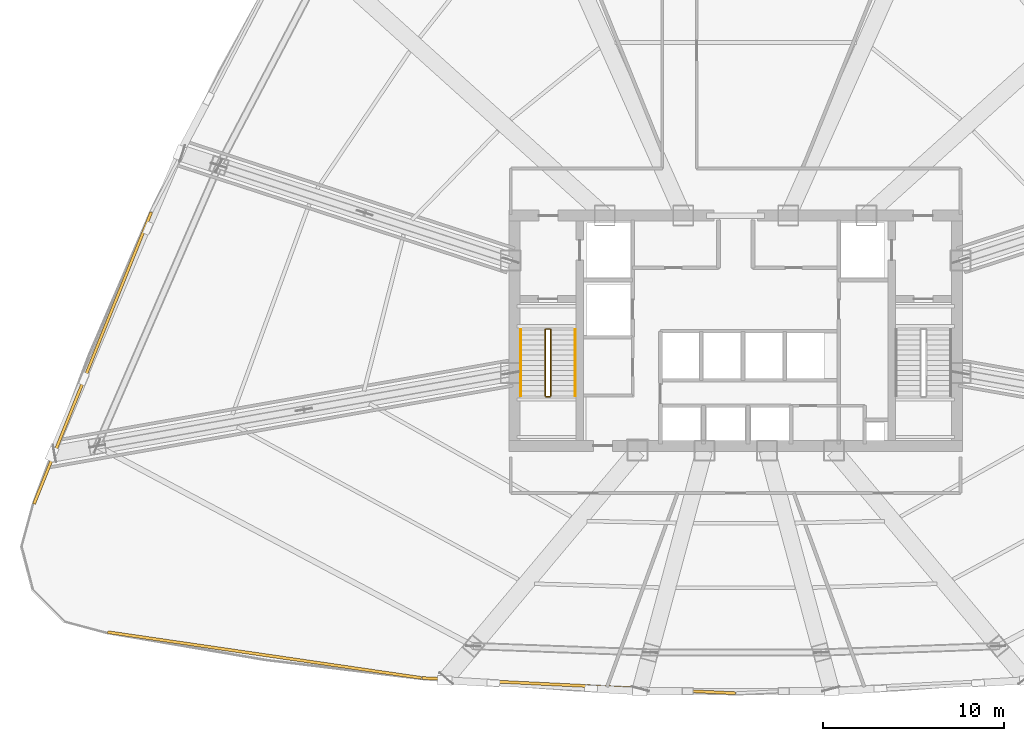
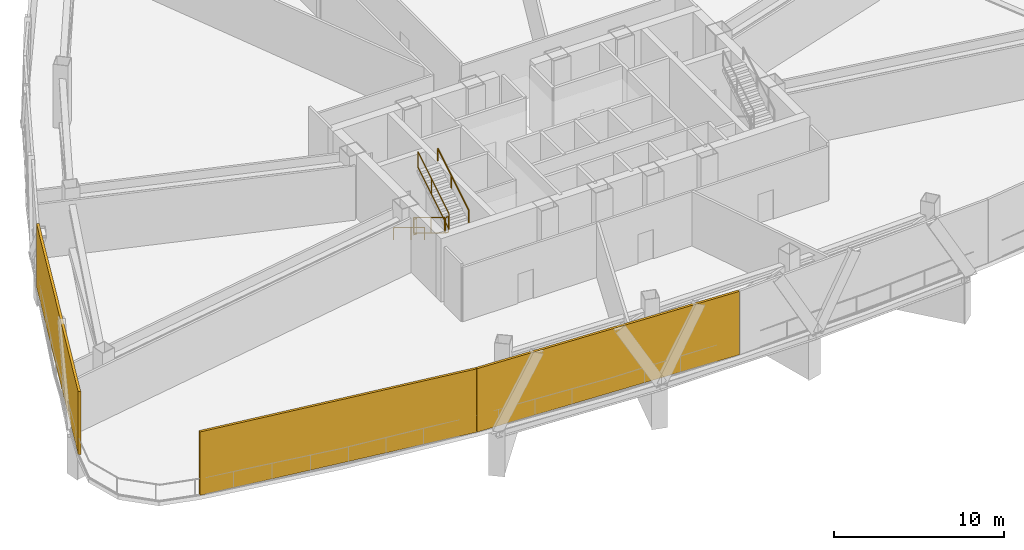
# One storey, part 12 of 17: 6 railings, 3 shading devices.
"""IFC4 building model written with IfcOpenShell, lengths in metres."""

from ifc_helpers import new_model, si_unit, direction, frame, origin, origin_2d, place, context, subcontext, project, spatial, rectangle, extrude, source, transform, mapped, material, layer, layer_set, type_object, element, save


model = new_model("IFC4")

# Units and contexts
model_context = context("Model", 3, precision=1e-05, world=origin(), true_north=direction((0.0, 1.0)))
body_context = subcontext(model_context, "Body", "Model", "MODEL_VIEW")
ifc_project = project(units=[si_unit("LENGTHUNIT", "METRE"), si_unit("AREAUNIT", "SQUARE_METRE"), si_unit("VOLUMEUNIT", "CUBIC_METRE"), si_unit("PLANEANGLEUNIT", "RADIAN"), si_unit("MASSUNIT", "GRAM", prefix="KILO"), si_unit("THERMODYNAMICTEMPERATUREUNIT", "KELVIN"), si_unit("POWERUNIT", "WATT")], contexts=[model_context])

# Site, building, storey
site_placement = place(None, origin())
site = spatial("IfcSite", under=ifc_project, at=site_placement, CompositionType="ELEMENT")
building_placement = place(site_placement, origin())
building = spatial("IfcBuilding", under=site, at=building_placement, Name="Yunzhuo Pagoda Commons", CompositionType="ELEMENT")
storey_placement = place(building_placement, frame((0.0, 0.0, 176.159912109375)))
storey = spatial("IfcBuildingStorey", under=building, at=storey_placement, Name="L44", CompositionType="ELEMENT", Elevation=176.159912109375)

# Railings
ifc_material = material(Name="Anodized aluminium 6063-T6", Category="aluminium")
railing_type_1 = type_object("IfcRailingType", Name="GR-ST1 Stair Well Guardrail 1150", PredefinedType="GUARDRAIL", material=ifc_material)
railing_1_placement = place(storey_placement, frame((37.5, 33.89990234375, 0.171630859375)))
element("IfcRailing", 1, at=railing_1_placement, inside=storey, type_object=railing_type_1, Name="L44 ST1 stair guard 1", PredefinedType="GUARDRAIL", context=body_context, shape_type="SweptSolid", body=[
    extrude(rectangle(XDim=0.048095703125, YDim=0.048095703125, at=origin_2d()), frame((0.0, 0.0, 1.1259765625), z_axis=(0.0, -0.852850264322, 0.5221555579), x_axis=(1.0, 0.0, 0.0)), (0.0, 0.0, 1.0), 4.267822265625),
    extrude(rectangle(XDim=0.048095703125, YDim=0.048095703125, at=origin_2d()), frame((0.0, 0.0, 0.02392578125), z_axis=(0.0, -0.852850264322, 0.5221555579), x_axis=(1.0, 0.0, 0.0)), (0.0, 0.0, 1.0), 4.267822265625),
    extrude(rectangle(XDim=0.0419921875, YDim=0.0419921875, at=origin_2d()), origin(), (0.0, 0.0, 1.0), 1.101806640625),
    extrude(rectangle(XDim=0.0419921875, YDim=0.0419921875, at=origin_2d()), frame((0.0, -2.046875, 1.253173828125)), (0.0, 0.0, 1.0), 1.101806640625),
    extrude(rectangle(XDim=0.0419921875, YDim=0.0419921875, at=origin_2d()), frame((0.0, -3.639892578125, 2.228515625)), (0.0, 0.0, 1.0), 1.101806640625),
])
railing_2_placement = place(storey_placement, frame((37.550048828125, 30.2099609375, 2.400146484375)))
element("IfcRailing", 2, at=railing_2_placement, inside=storey, type_object=railing_type_1, Name="L44 ST1 stair guard 2", PredefinedType="GUARDRAIL", context=body_context, shape_type="SweptSolid", body=[
    extrude(rectangle(XDim=0.048095703125, YDim=0.048095703125, at=origin_2d()), frame((0.0, 0.0, 1.1259765625), z_axis=(1.0, 0.0, 0.0), x_axis=(0.0, 1.0, 0.0)), (0.0, 0.0, 1.0), 0.199951171875),
    extrude(rectangle(XDim=0.048095703125, YDim=0.048095703125, at=origin_2d()), frame((0.0, 0.0, 0.02392578125), z_axis=(1.0, 0.0, 0.0), x_axis=(0.0, 1.0, 0.0)), (0.0, 0.0, 1.0), 0.199951171875),
    extrude(rectangle(XDim=0.0419921875, YDim=0.0419921875, at=origin_2d()), origin(), (0.0, 0.0, 1.0), 1.101806640625),
    extrude(rectangle(XDim=0.0419921875, YDim=0.0419921875, at=origin_2d()), frame((0.199951171875, 0.0, 0.0)), (0.0, 0.0, 1.0), 1.101806640625),
])
railing_3_placement = place(storey_placement, frame((37.800048828125, 30.260009765625, 2.571533203125)))
element("IfcRailing", 3, at=railing_3_placement, inside=storey, type_object=railing_type_1, Name="L44 ST1 stair guard 3", PredefinedType="GUARDRAIL", context=body_context, shape_type="SweptSolid", body=[
    extrude(rectangle(XDim=0.048095703125, YDim=0.048095703125, at=origin_2d()), frame((0.0, 0.0, 1.1259765625), z_axis=(0.0, 0.852850264322, 0.5221555579), x_axis=(-1.0, 0.0, 0.0)), (0.0, 0.0, 1.0), 4.267822265625),
    extrude(rectangle(XDim=0.048095703125, YDim=0.048095703125, at=origin_2d()), frame((0.0, 0.0, 0.02392578125), z_axis=(0.0, 0.852850264322, 0.5221555579), x_axis=(-1.0, 0.0, 0.0)), (0.0, 0.0, 1.0), 4.267822265625),
    extrude(rectangle(XDim=0.0419921875, YDim=0.0419921875, at=origin_2d()), origin(), (0.0, 0.0, 1.0), 1.101806640625),
    extrude(rectangle(XDim=0.0419921875, YDim=0.0419921875, at=origin_2d()), frame((0.0, 2.046875, 1.253173828125)), (0.0, 0.0, 1.0), 1.101806640625),
    extrude(rectangle(XDim=0.0419921875, YDim=0.0419921875, at=origin_2d()), frame((0.0, 3.639892578125, 2.228515625)), (0.0, 0.0, 1.0), 1.101806640625),
])
railing_4_placement = place(storey_placement, frame((37.550048828125, 33.949951171875, 0.0)))
element("IfcRailing", 4, at=railing_4_placement, inside=storey, type_object=railing_type_1, Name="L44 ST1 stair guard 4", PredefinedType="GUARDRAIL", context=body_context, shape_type="SweptSolid", body=[
    extrude(rectangle(XDim=0.048095703125, YDim=0.048095703125, at=origin_2d()), frame((0.0, 0.0, 1.1259765625), z_axis=(1.0, 0.0, 0.0), x_axis=(0.0, 1.0, 0.0)), (0.0, 0.0, 1.0), 0.199951171875),
    extrude(rectangle(XDim=0.048095703125, YDim=0.048095703125, at=origin_2d()), frame((0.0, 0.0, 0.02392578125), z_axis=(1.0, 0.0, 0.0), x_axis=(0.0, 1.0, 0.0)), (0.0, 0.0, 1.0), 0.199951171875),
    extrude(rectangle(XDim=0.0419921875, YDim=0.0419921875, at=origin_2d()), origin(), (0.0, 0.0, 1.0), 1.101806640625),
    extrude(rectangle(XDim=0.0419921875, YDim=0.0419921875, at=origin_2d()), frame((0.199951171875, 0.0, 0.0)), (0.0, 0.0, 1.0), 1.101806640625),
])
railing_type_2 = type_object("IfcRailingType", Name="HR-ST1 Stair Handrail 900", PredefinedType="HANDRAIL", material=ifc_material)
railing_5_placement = place(storey_placement, frame((36.14990234375, 33.89990234375, 0.171630859375)))
element("IfcRailing", 5, at=railing_5_placement, inside=storey, type_object=railing_type_2, Name="L44 ST1 stair handrail 1", PredefinedType="HANDRAIL", context=body_context, shape_type="SweptSolid", body=[
    extrude(rectangle(XDim=0.048095703125, YDim=0.048095703125, at=origin_2d()), frame((0.0, 0.0, 0.8759765625), z_axis=(0.0, -0.852850264322, 0.5221555579), x_axis=(1.0, 0.0, 0.0)), (0.0, 0.0, 1.0), 4.267822265625),
    extrude(rectangle(XDim=0.0419921875, YDim=0.0419921875, at=origin_2d()), origin(), (0.0, 0.0, 1.0), 0.851806640625),
    extrude(rectangle(XDim=0.0419921875, YDim=0.0419921875, at=origin_2d()), frame((0.0, -2.046875, 1.253173828125)), (0.0, 0.0, 1.0), 0.851806640625),
    extrude(rectangle(XDim=0.0419921875, YDim=0.0419921875, at=origin_2d()), frame((0.0, -3.639892578125, 2.228515625)), (0.0, 0.0, 1.0), 0.851806640625),
])
railing_6_placement = place(storey_placement, frame((39.14990234375, 30.260009765625, 2.571533203125)))
element("IfcRailing", 6, at=railing_6_placement, inside=storey, type_object=railing_type_2, Name="L44 ST1 stair handrail 2", PredefinedType="HANDRAIL", context=body_context, shape_type="SweptSolid", body=[
    extrude(rectangle(XDim=0.048095703125, YDim=0.048095703125, at=origin_2d()), frame((0.0, 0.0, 0.8759765625), z_axis=(0.0, 0.852850264322, 0.5221555579), x_axis=(-1.0, 0.0, 0.0)), (0.0, 0.0, 1.0), 4.267822265625),
    extrude(rectangle(XDim=0.0419921875, YDim=0.0419921875, at=origin_2d()), origin(), (0.0, 0.0, 1.0), 0.851806640625),
    extrude(rectangle(XDim=0.0419921875, YDim=0.0419921875, at=origin_2d()), frame((0.0, 2.046875, 1.253173828125)), (0.0, 0.0, 1.0), 0.851806640625),
    extrude(rectangle(XDim=0.0419921875, YDim=0.0419921875, at=origin_2d()), frame((0.0, 3.639892578125, 2.228515625)), (0.0, 0.0, 1.0), 0.851806640625),
])

# Shading devices
ifc_layer = layer(ifc_material, 0.159912109375)
ifc_layer_set = layer_set([ifc_layer], Name="Anodized aluminium 6063-T6")
shading_device_type = type_object("IfcShadingDeviceType", Name="SH-SCR1 Stormproof Refuge Louvre Screen", PredefinedType="JALOUSIE", material=ifc_layer_set)
shared_shape_1 = source(origin(), body_context, "Body", "SweptSolid", [
    extrude(rectangle(XDim=17.475830078125, YDim=0.159912109375, at=origin_2d()), origin(), (0.0, 0.0, 1.0), 4.5400390625),
])
shading_device_1_placement = place(storey_placement, frame((22.01904296875, 15.9716796875, 0.0), z_axis=(0.0, 0.0, 1.0), x_axis=(0.989510666697, -0.144459823108, 0.0)))
element("IfcShadingDevice", 7, at=shading_device_1_placement, inside=storey, type_object=shading_device_type, Name="L44 stormproof refuge louvre screen F1.1", PredefinedType="JALOUSIE", context=body_context, shape_type="MappedRepresentation", body=[
    mapped(shared_shape_1, transform((0.0, 0.0, 0.0), scale=1.0)),
])
shared_shape_2 = source(origin(), body_context, "Body", "SweptSolid", [
    extrude(rectangle(XDim=17.312744140625, YDim=0.159912109375, at=origin_2d()), origin(), (0.0, 0.0, 1.0), 4.5400390625),
])
shading_device_2_placement = place(storey_placement, frame((39.339599609375, 14.2861328125, 0.0), z_axis=(0.0, 0.0, 1.0), x_axis=(0.998818043775, -0.04860571396, 0.0)))
element("IfcShadingDevice", 8, at=shading_device_2_placement, inside=storey, type_object=shading_device_type, Name="L44 stormproof refuge louvre screen F1.2", PredefinedType="JALOUSIE", context=body_context, shape_type="MappedRepresentation", body=[
    mapped(shared_shape_2, transform((0.0, 0.0, 0.0), scale=1.0)),
])
shared_shape_3 = source(origin(), body_context, "Body", "SweptSolid", [
    extrude(rectangle(XDim=17.335205078125, YDim=0.159912109375, at=origin_2d()), origin(), (0.0, 0.0, 1.0), 4.5400390625),
])
shading_device_3_placement = place(storey_placement, frame((12.547119140625, 32.34521484375, 0.0), z_axis=(0.0, 0.0, 1.0), x_axis=(-0.372987782576, -0.927836253899, 0.0)))
element("IfcShadingDevice", 9, at=shading_device_3_placement, inside=storey, type_object=shading_device_type, Name="L44 stormproof refuge louvre screen F3.4", PredefinedType="JALOUSIE", context=body_context, shape_type="MappedRepresentation", body=[
    mapped(shared_shape_3, transform((0.0, 0.0, 0.0), scale=1.0)),
])

save(model, "model.ifc")
